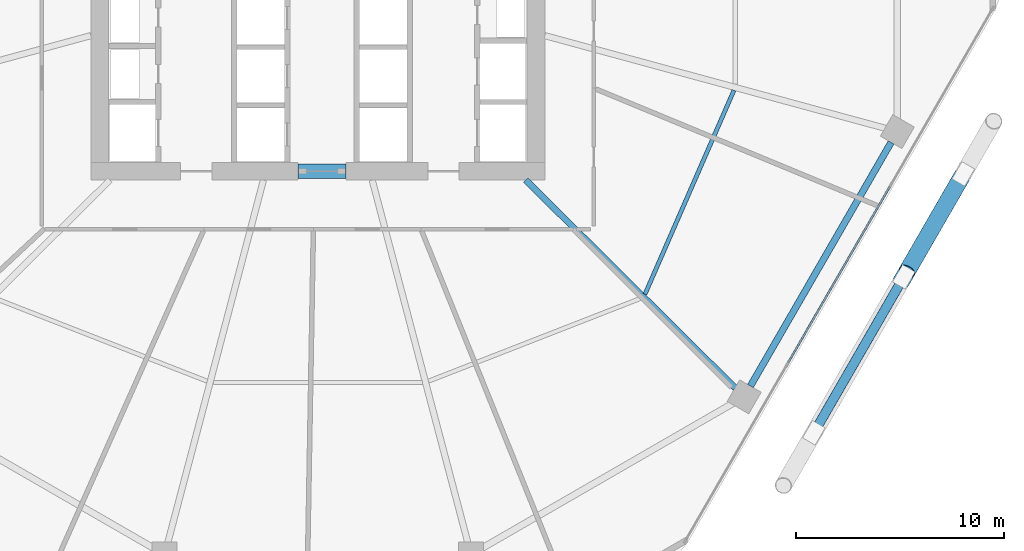
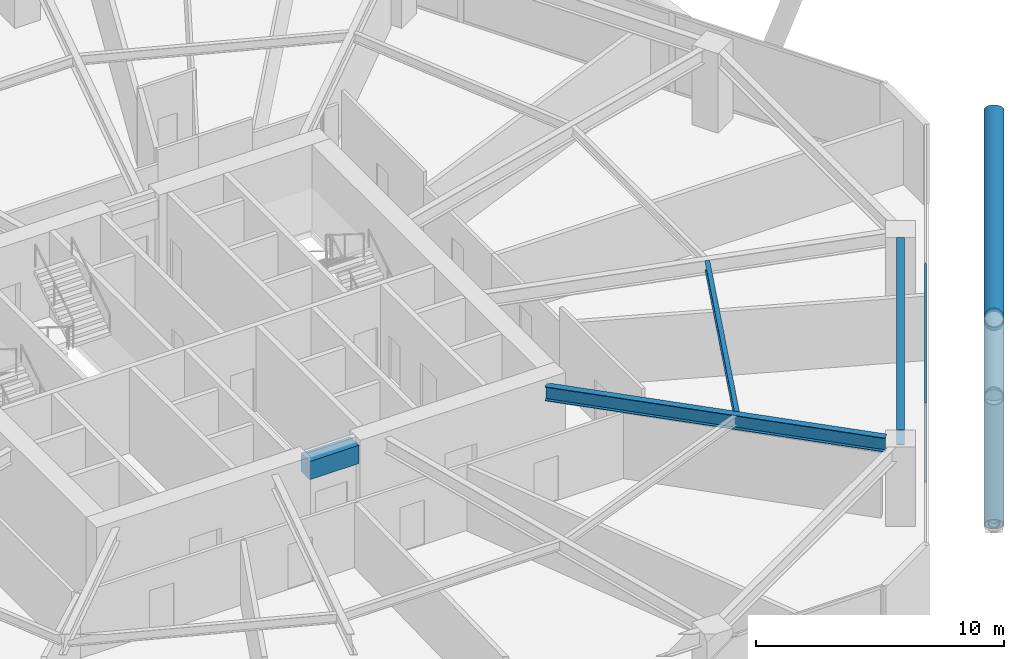
# One storey, part 10 of 28: 5 members, 4 beams, 1 element without a shape of its own.
"""IFC4 building model written with IfcOpenShell, lengths in metres."""

from ifc_helpers import new_model, si_unit, direction, frame, origin, origin_2d, place, context, subcontext, project, spatial, rectangle, hollow_rectangle, hollow_circle, i_section, extrude, material, material_profile, profile_set, type_object, element, aggregate, save


model = new_model("IFC4")

# Units and contexts
model_context = context("Model", 3, precision=1e-05, world=origin(), true_north=direction((0.0, 1.0)))
body_context = subcontext(model_context, "Body", "Model", "MODEL_VIEW")
ifc_project = project(units=[si_unit("LENGTHUNIT", "METRE"), si_unit("AREAUNIT", "SQUARE_METRE"), si_unit("VOLUMEUNIT", "CUBIC_METRE"), si_unit("PLANEANGLEUNIT", "RADIAN"), si_unit("MASSUNIT", "GRAM", prefix="KILO")], contexts=[model_context])

# Site, building, storey
site_placement = place(None, origin())
site = spatial("IfcSite", under=ifc_project, at=site_placement, CompositionType="ELEMENT")
building_placement = place(site_placement, origin())
building = spatial("IfcBuilding", under=site, at=building_placement, Name="Zuhravey Tower", CompositionType="ELEMENT")
storey_placement = place(building_placement, frame((0.0, 0.0, 66.60009765625)))
storey = spatial("IfcBuildingStorey", under=building, at=storey_placement, Name="L16", CompositionType="ELEMENT", Elevation=66.60009765625)

# Beam
ifc_material_1 = material(Name="Concrete C60/75", Category="concrete")
ifc_material_profile_1 = material_profile(ifc_material_1, rectangle(XDim=0.699951171875, YDim=0.89990234375, at=origin_2d()), Name="RC-700x900")
ifc_profile_set_1 = profile_set([ifc_material_profile_1], Name="Concrete C60/75")
beam_type_1 = type_object("IfcBeamType", Name="Core Coupling Beam RC700x900", PredefinedType="LINTEL", material=ifc_profile_set_1)
beam_1_placement = place(storey_placement, frame((35.052001953125, 22.5, 3.469970703125), z_axis=(1.0, 0.0, 0.0), x_axis=(0.0, 1.0, 0.0)))
element("IfcBeam", 1, at=beam_1_placement, inside=storey, type_object=beam_type_1, Name="L16 CB1 BM-L16-CB-S", PredefinedType="LINTEL", context=body_context, shape_type="SweptSolid", body=[
    extrude(rectangle(XDim=0.699951171875, YDim=0.89990234375, at=origin_2d()), origin(), (0.0, 0.0, 1.0), 2.2958984375),
])

# Curtain wall, members
ifc_material_2 = material(Name="Thermally broken anodised aluminium", Category="aluminium")
curtain_wall_type = type_object("IfcCurtainWallType", Name="School Low-E Unitised Curtain Wall CW1", PredefinedType="NOTDEFINED", material=ifc_material_2)
curtain_wall_placement = place(storey_placement, origin())
curtain_wall = element("IfcCurtainWall", 2, at=curtain_wall_placement, inside=storey, type_object=curtain_wall_type, Name="L16 CW1 CW-L16-F6-1", PredefinedType="NOTDEFINED")
ifc_material_3 = material(Name="Anodised aluminium", Category="aluminium")
ifc_material_profile_2 = material_profile(ifc_material_3, hollow_rectangle(XDim=0.090087890625, YDim=0.14990234375, WallThickness=0.0048828125, at=origin_2d()), Name="ALU-RHS-90x150x5")
ifc_profile_set_2 = profile_set([ifc_material_profile_2], Name="Anodised aluminium")
member_type_1 = type_object("IfcMemberType", Name="Curtain-Wall Transom 90x150", PredefinedType="USERDEFINED", material=ifc_profile_set_2)
member_1_placement = place(storey_placement, frame((63.52294921875, 21.754150390625, 0.044921875), z_axis=(-0.499990498062, -0.866030889661, 0.0), x_axis=(0.866030889661, -0.499990498062, 0.0)))
member_1 = element("IfcMember", 3, at=member_1_placement, type_object=member_type_1, Name="CW1 transom 2.1", ObjectType="TRANSOM", PredefinedType="USERDEFINED", context=body_context, shape_type="SweptSolid", body=[
    extrude(hollow_rectangle(XDim=0.090087890625, YDim=0.14990234375, WallThickness=0.0048828125, at=origin_2d()), origin(), (0.0, 0.0, 1.0), 9.776611328125),
])
member_2_placement = place(storey_placement, frame((63.52294921875, 21.754150390625, 3.875), z_axis=(-0.499990498062, -0.866030889661, 0.0), x_axis=(0.866030889661, -0.499990498062, 0.0)))
member_2 = element("IfcMember", 4, at=member_2_placement, type_object=member_type_1, Name="CW1 transom 2.2", ObjectType="TRANSOM", PredefinedType="USERDEFINED", context=body_context, shape_type="SweptSolid", body=[
    extrude(hollow_rectangle(XDim=0.090087890625, YDim=0.14990234375, WallThickness=0.0048828125, at=origin_2d()), origin(), (0.0, 0.0, 1.0), 9.776611328125),
])
aggregate(curtain_wall, [member_1, member_2])

# Members
ifc_material_4 = material(Name="Steel SM355", Category="steel")
ifc_material_profile_3 = material_profile(ifc_material_4, hollow_circle(Radius=0.228515625, WallThickness=0.02197265625, at=origin_2d()), Name="CHS-457.2x22")
ifc_profile_set_3 = profile_set([ifc_material_profile_3], Name="Steel SM355")
member_type_2 = type_object("IfcMemberType", Name="Exoskeleton Ring Tie CHS457x22", PredefinedType="CHORD", material=ifc_profile_set_3)
member_3_placement = place(storey_placement, frame((59.942138671875, 10.031982421875, -0.494140625), z_axis=(0.499995593262, 0.866027948001, 0.0), x_axis=(-0.866027948001, 0.499995593262, 0.0)))
element("IfcMember", 5, at=member_3_placement, inside=storey, type_object=member_type_2, Name="L16 Exoskeleton Face 6 Tie EXR1", PredefinedType="CHORD", context=body_context, shape_type="SweptSolid", body=[
    extrude(hollow_circle(Radius=0.228515625, WallThickness=0.02197265625, at=origin_2d()), origin(), (0.0, 0.0, 1.0), 14.107666015625),
])
ifc_material_5 = material(Name="Steel SM460", Category="steel")
ifc_material_profile_4 = material_profile(ifc_material_5, hollow_circle(Radius=0.406494140625, WallThickness=0.035888671875, at=origin_2d()), Name="CHS-812.8x36")
ifc_profile_set_4 = profile_set([ifc_material_profile_4], Name="Steel SM460")
member_type_3 = type_object("IfcMemberType", Name="Exoskeleton Zone 1 Diagrid CHS813x36", PredefinedType="BRACE", material=ifc_profile_set_4)
member_4_placement = place(storey_placement, frame((59.894775390625, 9.949951171875, -0.47216796875), z_axis=(0.449932637588, 0.779312332372, 0.436156978902), x_axis=(-0.866027110715, 0.499997043497, 0.0)))
element("IfcMember", 6, at=member_4_placement, inside=storey, type_object=member_type_3, Name="L16 Face 6 Diagrid Brace 2", PredefinedType="BRACE", context=body_context, shape_type="SweptSolid", body=[
    extrude(hollow_circle(Radius=0.406494140625, WallThickness=0.035888671875, at=origin_2d()), origin(), (0.0, 0.0, 1.0), 19.158203125),
])
member_5_placement = place(storey_placement, frame((67.045654296875, 22.335693359375, -0.46435546875), z_axis=(-0.403092056741, -0.69816190232, 0.59168129254), x_axis=(0.866021056018, -0.500007530476, 0.0)))
element("IfcMember", 7, at=member_5_placement, inside=storey, type_object=member_type_3, Name="L16 Face 6 Split Diagrid Brace 3A", PredefinedType="BRACE", context=body_context, shape_type="SweptSolid", body=[
    extrude(hollow_circle(Radius=0.406494140625, WallThickness=0.035888671875, at=origin_2d()), origin(), (0.0, 0.0, 1.0), 6.6513671875),
])

# Beams
ifc_material_profile_5 = material_profile(ifc_material_4, i_section(OverallWidth=0.320068359375, OverallDepth=0.75, WebThickness=0.013916015625, FlangeThickness=0.02490234375, at=origin_2d()), Name="H-750x320x14x25")
ifc_profile_set_5 = profile_set([ifc_material_profile_5], Name="Steel SM355")
beam_type_2 = type_object("IfcBeamType", Name="Perimeter Ring Beam H750x320", PredefinedType="BEAM", material=ifc_profile_set_5)
beam_2_placement = place(storey_placement, frame((56.820556640625, 12.165283203125, 3.544921875), z_axis=(0.499999877243, 0.866025474658, 0.0), x_axis=(-0.866025474658, 0.499999877243, 0.0)))
element("IfcBeam", 8, at=beam_2_placement, inside=storey, type_object=beam_type_2, Name="L16 PB1 BM-L16-PB-11", PredefinedType="BEAM", context=body_context, shape_type="SweptSolid", body=[
    extrude(i_section(OverallWidth=0.320068359375, OverallDepth=0.75, WebThickness=0.013916015625, FlangeThickness=0.02490234375, at=origin_2d()), origin(), (0.0, 0.0, 1.0), 13.5341796875),
])
ifc_material_profile_6 = material_profile(ifc_material_4, i_section(OverallWidth=0.300048828125, OverallDepth=0.699951171875, WebThickness=0.012939453125, FlangeThickness=0.02392578125, at=origin_2d()), Name="H-700x300x13x24")
ifc_profile_set_6 = profile_set([ifc_material_profile_6], Name="Steel SM355")
beam_type_3 = type_object("IfcBeamType", Name="Radial Primary Girder H700x300", PredefinedType="BEAM", material=ifc_profile_set_6)
beam_3_placement = place(storey_placement, frame((46.007080078125, 22.072021484375, 3.56982421875), z_axis=(0.709902823282, -0.704299639, 0.0), x_axis=(0.704299639, 0.709902823282, 0.0)))
element("IfcBeam", 9, at=beam_3_placement, inside=storey, type_object=beam_type_3, Name="L16 RG1 BM-L16-RAD-11", PredefinedType="BEAM", context=body_context, shape_type="SweptSolid", body=[
    extrude(i_section(OverallWidth=0.300048828125, OverallDepth=0.699951171875, WebThickness=0.012939453125, FlangeThickness=0.02392578125, at=origin_2d()), origin(), (0.0, 0.0, 1.0), 14.204345703125),
])
ifc_material_profile_7 = material_profile(ifc_material_4, i_section(OverallWidth=0.199951171875, OverallDepth=0.449951171875, WebThickness=0.009033203125, FlangeThickness=0.013916015625, at=origin_2d()), Name="H-450x200x9x14")
ifc_profile_set_7 = profile_set([ifc_material_profile_7], Name="Steel SM355")
beam_type_4 = type_object("IfcBeamType", Name="Secondary Floor Joist H450x200", PredefinedType="JOIST", material=ifc_profile_set_7)
beam_4_placement = place(storey_placement, frame((51.7451171875, 16.58154296875, 3.69482421875), z_axis=(0.399923551578, 0.916548500022, 0.0), x_axis=(-0.916548500022, 0.399923551578, 0.0)))
element("IfcBeam", 10, at=beam_4_placement, inside=storey, type_object=beam_type_4, Name="L16 SJ1 BM-L16-SJ-11-1", PredefinedType="JOIST", context=body_context, shape_type="SweptSolid", body=[
    extrude(i_section(OverallWidth=0.199951171875, OverallDepth=0.449951171875, WebThickness=0.009033203125, FlangeThickness=0.013916015625, at=origin_2d()), origin(), (0.0, 0.0, 1.0), 10.70263671875),
])

save(model, "model.ifc")
